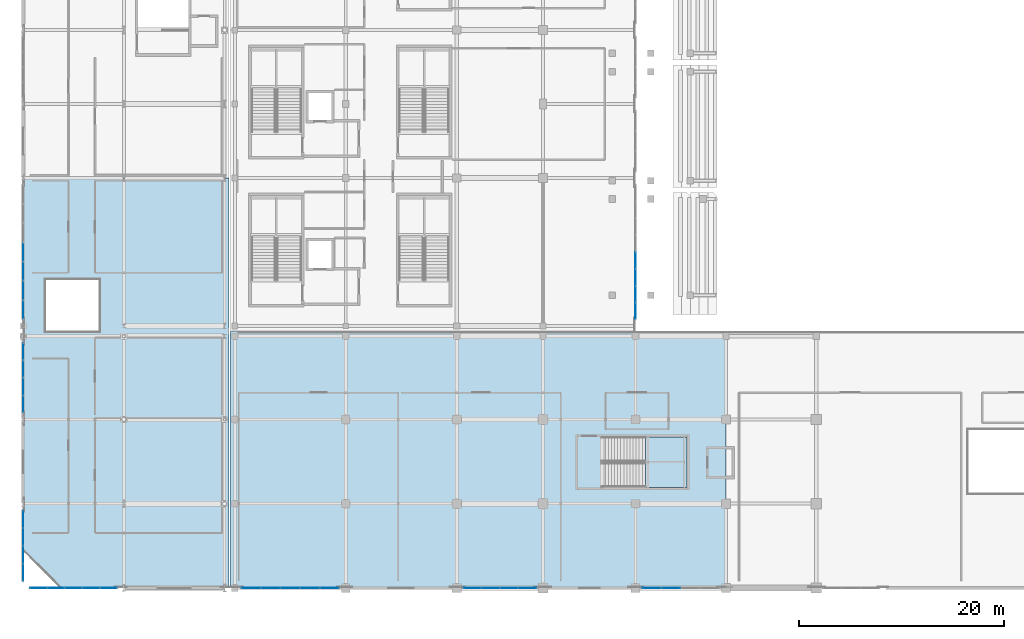
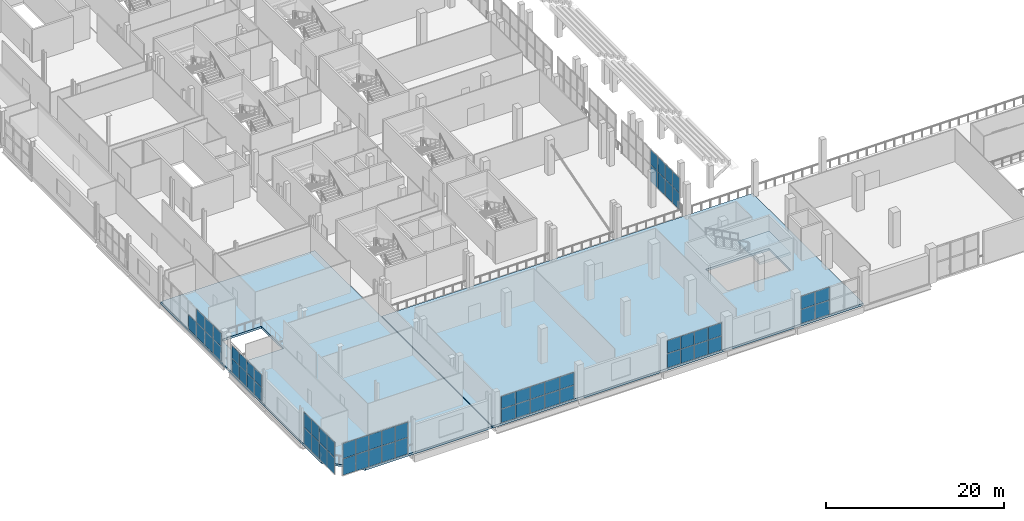
# One storey, part 73 of 142: 63 plates, 3 slabs, 9 elements without a shape of their own.
"""IFC4 building model written with IfcOpenShell, lengths in metres."""

from ifc_helpers import new_model, si_unit, direction, frame, origin, origin_2d, place, context, subcontext, project, spatial, polyline, rectangle, outline, extrude, material, layer, layer_set, type_object, element, aggregate, save


model = new_model("IFC4")

# Units and contexts
model_context = context("Model", 3, precision=1e-05, world=origin(), true_north=direction((0.0, 1.0)))
body_context = subcontext(model_context, "Body", "Model", "MODEL_VIEW")
ifc_project = project(units=[si_unit("LENGTHUNIT", "METRE"), si_unit("AREAUNIT", "SQUARE_METRE"), si_unit("VOLUMEUNIT", "CUBIC_METRE"), si_unit("PLANEANGLEUNIT", "RADIAN"), si_unit("MASSUNIT", "GRAM", prefix="KILO")], contexts=[model_context])

# Site, building, storey
site_placement = place(None, origin())
site = spatial("IfcSite", under=ifc_project, at=site_placement, CompositionType="ELEMENT")
building_placement = place(site_placement, origin())
building = spatial("IfcBuilding", under=site, at=building_placement, Name="Koshinbarg Plaza Stadium", CompositionType="ELEMENT")
storey_placement = place(building_placement, frame((0.0, 0.0, 10.199951171875)))
storey = spatial("IfcBuildingStorey", under=building, at=storey_placement, Name="L02", CompositionType="ELEMENT", Elevation=10.199951171875)

# Curtain wall, plates
ifc_material_1 = material(Name="Thermally broken anodised aluminium and low-E double glazing", Category="aluminium")
curtain_wall_type_1 = type_object("IfcCurtainWallType", Name="CW-SYS-07", PredefinedType="NOTDEFINED", material=ifc_material_1)
curtain_wall_1_placement = place(storey_placement, origin())
curtain_wall_1 = element("IfcCurtainWall", 1, at=curtain_wall_1_placement, inside=storey, type_object=curtain_wall_type_1, Name="L02 unitised curtain wall CW-L02-038", PredefinedType="NOTDEFINED")
ifc_material_2 = material(Name="Solar-control low-E double glazing unit", Category="glass")
ifc_layer_1 = layer(ifc_material_2, 0.028076171875)
ifc_layer_set_1 = layer_set([ifc_layer_1], Name="Solar-control low-E double glazing unit")
plate_type_1 = type_object("IfcPlateType", Name="CW-PNL-28", PredefinedType="CURTAIN_PANEL", material=ifc_layer_set_1)
plate_1_placement = place(storey_placement, frame((4.0, 17.892578125, 0.06005859375), z_axis=(0.0, 0.0, 1.0), x_axis=(0.0, 1.0, 0.0)))
plate_1 = element("IfcPlate", 2, at=plate_1_placement, type_object=plate_type_1, Name="CW07 panel 1.1", PredefinedType="CURTAIN_PANEL", context=body_context, shape_type="SweptSolid", body=[
    extrude(rectangle(XDim=1.625, YDim=0.028076171875, at=origin_2d()), origin(), (0.0, 0.0, 1.0), 1.87548828125),
])
plate_2_placement = place(storey_placement, frame((4.0, 17.892578125, 1.99560546875), z_axis=(0.0, 0.0, 1.0), x_axis=(0.0, 1.0, 0.0)))
plate_2 = element("IfcPlate", 3, at=plate_2_placement, type_object=plate_type_1, Name="CW07 panel 1.2", PredefinedType="CURTAIN_PANEL", context=body_context, shape_type="SweptSolid", body=[
    extrude(rectangle(XDim=1.625, YDim=0.028076171875, at=origin_2d()), origin(), (0.0, 0.0, 1.0), 1.724365234375),
])
plate_3_placement = place(storey_placement, frame((4.0, 19.592529296875, 0.06005859375), z_axis=(0.0, 0.0, 1.0), x_axis=(0.0, 1.0, 0.0)))
plate_3 = element("IfcPlate", 4, at=plate_3_placement, type_object=plate_type_1, Name="CW07 panel 2.1", PredefinedType="CURTAIN_PANEL", context=body_context, shape_type="SweptSolid", body=[
    extrude(rectangle(XDim=1.655029296875, YDim=0.028076171875, at=origin_2d()), origin(), (0.0, 0.0, 1.0), 1.87548828125),
])
plate_4_placement = place(storey_placement, frame((4.0, 19.592529296875, 1.99560546875), z_axis=(0.0, 0.0, 1.0), x_axis=(0.0, 1.0, 0.0)))
plate_4 = element("IfcPlate", 5, at=plate_4_placement, type_object=plate_type_1, Name="CW07 panel 2.2", PredefinedType="CURTAIN_PANEL", context=body_context, shape_type="SweptSolid", body=[
    extrude(rectangle(XDim=1.655029296875, YDim=0.028076171875, at=origin_2d()), origin(), (0.0, 0.0, 1.0), 1.724365234375),
])
plate_5_placement = place(storey_placement, frame((4.0, 21.3076171875, 0.06005859375), z_axis=(0.0, 0.0, 1.0), x_axis=(0.0, 1.0, 0.0)))
plate_5 = element("IfcPlate", 6, at=plate_5_placement, type_object=plate_type_1, Name="CW07 panel 3.1", PredefinedType="CURTAIN_PANEL", context=body_context, shape_type="SweptSolid", body=[
    extrude(rectangle(XDim=1.655029296875, YDim=0.028076171875, at=origin_2d()), origin(), (0.0, 0.0, 1.0), 1.87548828125),
])
plate_6_placement = place(storey_placement, frame((4.0, 21.3076171875, 1.99560546875), z_axis=(0.0, 0.0, 1.0), x_axis=(0.0, 1.0, 0.0)))
plate_6 = element("IfcPlate", 7, at=plate_6_placement, type_object=plate_type_1, Name="CW07 panel 3.2", PredefinedType="CURTAIN_PANEL", context=body_context, shape_type="SweptSolid", body=[
    extrude(rectangle(XDim=1.655029296875, YDim=0.028076171875, at=origin_2d()), origin(), (0.0, 0.0, 1.0), 1.724365234375),
])
plate_7_placement = place(storey_placement, frame((4.0, 23.007568359375, 0.06005859375), z_axis=(0.0, 0.0, 1.0), x_axis=(0.0, 1.0, 0.0)))
plate_7 = element("IfcPlate", 8, at=plate_7_placement, type_object=plate_type_1, Name="CW07 panel 4.1", PredefinedType="CURTAIN_PANEL", context=body_context, shape_type="SweptSolid", body=[
    extrude(rectangle(XDim=1.625, YDim=0.028076171875, at=origin_2d()), origin(), (0.0, 0.0, 1.0), 1.87548828125),
])
plate_8_placement = place(storey_placement, frame((4.0, 23.007568359375, 1.99560546875), z_axis=(0.0, 0.0, 1.0), x_axis=(0.0, 1.0, 0.0)))
plate_8 = element("IfcPlate", 9, at=plate_8_placement, type_object=plate_type_1, Name="CW07 panel 4.2", PredefinedType="CURTAIN_PANEL", context=body_context, shape_type="SweptSolid", body=[
    extrude(rectangle(XDim=1.625, YDim=0.028076171875, at=origin_2d()), origin(), (0.0, 0.0, 1.0), 1.724365234375),
])
aggregate(curtain_wall_1, [plate_1, plate_2, plate_3, plate_4, plate_5, plate_6, plate_7, plate_8])

curtain_wall_type_2 = type_object("IfcCurtainWallType", Name="CW-SYS-05", PredefinedType="NOTDEFINED", material=ifc_material_1)
curtain_wall_2_placement = place(storey_placement, origin())
curtain_wall_2 = element("IfcCurtainWall", 10, at=curtain_wall_2_placement, inside=storey, type_object=curtain_wall_type_2, Name="L02 unitised curtain wall CW-L02-068", PredefinedType="NOTDEFINED")
plate_9_placement = place(storey_placement, frame((53.070068359375, 0.0, 0.06005859375), z_axis=(0.0, 0.0, 1.0), x_axis=(-1.0, 0.0, 0.0)))
plate_9 = element("IfcPlate", 11, at=plate_9_placement, type_object=plate_type_1, Name="CW05 panel 1.1", PredefinedType="CURTAIN_PANEL", context=body_context, shape_type="SweptSolid", body=[
    extrude(rectangle(XDim=1.699951171875, YDim=0.028076171875, at=origin_2d()), origin(), (0.0, 0.0, 1.0), 1.917236328125),
])
plate_10_placement = place(storey_placement, frame((53.070068359375, 0.0, 2.037353515625), z_axis=(0.0, 0.0, 1.0), x_axis=(-1.0, 0.0, 0.0)))
plate_10 = element("IfcPlate", 12, at=plate_10_placement, type_object=plate_type_1, Name="CW05 panel 1.2", PredefinedType="CURTAIN_PANEL", context=body_context, shape_type="SweptSolid", body=[
    extrude(rectangle(XDim=1.699951171875, YDim=0.028076171875, at=origin_2d()), origin(), (0.0, 0.0, 1.0), 1.7626953125),
])
plate_11_placement = place(storey_placement, frame((51.294921875, 0.0, 0.06005859375), z_axis=(0.0, 0.0, 1.0), x_axis=(-1.0, 0.0, 0.0)))
plate_11 = element("IfcPlate", 13, at=plate_11_placement, type_object=plate_type_1, Name="CW05 panel 2.1", PredefinedType="CURTAIN_PANEL", context=body_context, shape_type="SweptSolid", body=[
    extrude(rectangle(XDim=1.72998046875, YDim=0.028076171875, at=origin_2d()), origin(), (0.0, 0.0, 1.0), 1.917236328125),
])
plate_12_placement = place(storey_placement, frame((51.294921875, 0.0, 2.037353515625), z_axis=(0.0, 0.0, 1.0), x_axis=(-1.0, 0.0, 0.0)))
plate_12 = element("IfcPlate", 14, at=plate_12_placement, type_object=plate_type_1, Name="CW05 panel 2.2", PredefinedType="CURTAIN_PANEL", context=body_context, shape_type="SweptSolid", body=[
    extrude(rectangle(XDim=1.72998046875, YDim=0.028076171875, at=origin_2d()), origin(), (0.0, 0.0, 1.0), 1.7626953125),
])
plate_13_placement = place(storey_placement, frame((49.5048828125, 0.0, 0.06005859375), z_axis=(0.0, 0.0, 1.0), x_axis=(-1.0, 0.0, 0.0)))
plate_13 = element("IfcPlate", 15, at=plate_13_placement, type_object=plate_type_1, Name="CW05 panel 3.1", PredefinedType="CURTAIN_PANEL", context=body_context, shape_type="SweptSolid", body=[
    extrude(rectangle(XDim=1.72998046875, YDim=0.028076171875, at=origin_2d()), origin(), (0.0, 0.0, 1.0), 1.917236328125),
])
plate_14_placement = place(storey_placement, frame((49.5048828125, 0.0, 2.037353515625), z_axis=(0.0, 0.0, 1.0), x_axis=(-1.0, 0.0, 0.0)))
plate_14 = element("IfcPlate", 16, at=plate_14_placement, type_object=plate_type_1, Name="CW05 panel 3.2", PredefinedType="CURTAIN_PANEL", context=body_context, shape_type="SweptSolid", body=[
    extrude(rectangle(XDim=1.72998046875, YDim=0.028076171875, at=origin_2d()), origin(), (0.0, 0.0, 1.0), 1.7626953125),
])
plate_15_placement = place(storey_placement, frame((47.72998046875, 0.0, 0.06005859375), z_axis=(0.0, 0.0, 1.0), x_axis=(-1.0, 0.0, 0.0)))
plate_15 = element("IfcPlate", 17, at=plate_15_placement, type_object=plate_type_1, Name="CW05 panel 4.1", PredefinedType="CURTAIN_PANEL", context=body_context, shape_type="SweptSolid", body=[
    extrude(rectangle(XDim=1.699951171875, YDim=0.028076171875, at=origin_2d()), origin(), (0.0, 0.0, 1.0), 1.917236328125),
])
plate_16_placement = place(storey_placement, frame((47.72998046875, 0.0, 2.037353515625), z_axis=(0.0, 0.0, 1.0), x_axis=(-1.0, 0.0, 0.0)))
plate_16 = element("IfcPlate", 18, at=plate_16_placement, type_object=plate_type_1, Name="CW05 panel 4.2", PredefinedType="CURTAIN_PANEL", context=body_context, shape_type="SweptSolid", body=[
    extrude(rectangle(XDim=1.699951171875, YDim=0.028076171875, at=origin_2d()), origin(), (0.0, 0.0, 1.0), 1.7626953125),
])
aggregate(curtain_wall_2, [plate_9, plate_10, plate_11, plate_12, plate_13, plate_14, plate_15, plate_16])

curtain_wall_3_placement = place(storey_placement, origin())
curtain_wall_3 = element("IfcCurtainWall", 19, at=curtain_wall_3_placement, inside=storey, type_object=curtain_wall_type_1, Name="L02 unitised curtain wall CW-L02-070", PredefinedType="NOTDEFINED")
plate_17_placement = place(storey_placement, frame((12.30908203125, 0.0, 0.06005859375), z_axis=(0.0, 0.0, 1.0), x_axis=(-1.0, 0.0, 0.0)))
plate_17 = element("IfcPlate", 20, at=plate_17_placement, type_object=plate_type_1, Name="CW07 panel 1.1", PredefinedType="CURTAIN_PANEL", context=body_context, shape_type="SweptSolid", body=[
    extrude(rectangle(XDim=1.6220703125, YDim=0.028076171875, at=origin_2d()), origin(), (0.0, 0.0, 1.0), 2.239501953125),
])
plate_18_placement = place(storey_placement, frame((12.30908203125, 0.0, 2.35986328125), z_axis=(0.0, 0.0, 1.0), x_axis=(-1.0, 0.0, 0.0)))
plate_18 = element("IfcPlate", 21, at=plate_18_placement, type_object=plate_type_1, Name="CW07 panel 1.2", PredefinedType="CURTAIN_PANEL", context=body_context, shape_type="SweptSolid", body=[
    extrude(rectangle(XDim=1.6220703125, YDim=0.028076171875, at=origin_2d()), origin(), (0.0, 0.0, 1.0), 2.060302734375),
])
plate_19_placement = place(storey_placement, frame((10.612060546875, 0.0, 0.06005859375), z_axis=(0.0, 0.0, 1.0), x_axis=(-1.0, 0.0, 0.0)))
plate_19 = element("IfcPlate", 22, at=plate_19_placement, type_object=plate_type_1, Name="CW07 panel 2.1", PredefinedType="CURTAIN_PANEL", context=body_context, shape_type="SweptSolid", body=[
    extrude(rectangle(XDim=1.652099609375, YDim=0.028076171875, at=origin_2d()), origin(), (0.0, 0.0, 1.0), 2.239501953125),
])
plate_20_placement = place(storey_placement, frame((10.612060546875, 0.0, 2.35986328125), z_axis=(0.0, 0.0, 1.0), x_axis=(-1.0, 0.0, 0.0)))
plate_20 = element("IfcPlate", 23, at=plate_20_placement, type_object=plate_type_1, Name="CW07 panel 2.2", PredefinedType="CURTAIN_PANEL", context=body_context, shape_type="SweptSolid", body=[
    extrude(rectangle(XDim=1.652099609375, YDim=0.028076171875, at=origin_2d()), origin(), (0.0, 0.0, 1.0), 2.060302734375),
])
plate_21_placement = place(storey_placement, frame((8.89990234375, 0.0, 0.06005859375), z_axis=(0.0, 0.0, 1.0), x_axis=(-1.0, 0.0, 0.0)))
plate_21 = element("IfcPlate", 24, at=plate_21_placement, type_object=plate_type_1, Name="CW07 panel 3.1", PredefinedType="CURTAIN_PANEL", context=body_context, shape_type="SweptSolid", body=[
    extrude(rectangle(XDim=1.652099609375, YDim=0.028076171875, at=origin_2d()), origin(), (0.0, 0.0, 1.0), 2.239501953125),
])
plate_22_placement = place(storey_placement, frame((8.89990234375, 0.0, 2.35986328125), z_axis=(0.0, 0.0, 1.0), x_axis=(-1.0, 0.0, 0.0)))
plate_22 = element("IfcPlate", 25, at=plate_22_placement, type_object=plate_type_1, Name="CW07 panel 3.2", PredefinedType="CURTAIN_PANEL", context=body_context, shape_type="SweptSolid", body=[
    extrude(rectangle(XDim=1.652099609375, YDim=0.028076171875, at=origin_2d()), origin(), (0.0, 0.0, 1.0), 2.060302734375),
])
plate_23_placement = place(storey_placement, frame((7.18798828125, 0.0, 0.06005859375), z_axis=(0.0, 0.0, 1.0), x_axis=(-1.0, 0.0, 0.0)))
plate_23 = element("IfcPlate", 26, at=plate_23_placement, type_object=plate_type_1, Name="CW07 panel 4.1", PredefinedType="CURTAIN_PANEL", context=body_context, shape_type="SweptSolid", body=[
    extrude(rectangle(XDim=1.652099609375, YDim=0.028076171875, at=origin_2d()), origin(), (0.0, 0.0, 1.0), 2.239501953125),
])
plate_24_placement = place(storey_placement, frame((7.18798828125, 0.0, 2.35986328125), z_axis=(0.0, 0.0, 1.0), x_axis=(-1.0, 0.0, 0.0)))
plate_24 = element("IfcPlate", 27, at=plate_24_placement, type_object=plate_type_1, Name="CW07 panel 4.2", PredefinedType="CURTAIN_PANEL", context=body_context, shape_type="SweptSolid", body=[
    extrude(rectangle(XDim=1.652099609375, YDim=0.028076171875, at=origin_2d()), origin(), (0.0, 0.0, 1.0), 2.060302734375),
])
plate_25_placement = place(storey_placement, frame((5.490966796875, 0.0, 0.06005859375), z_axis=(0.0, 0.0, 1.0), x_axis=(-1.0, 0.0, 0.0)))
plate_25 = element("IfcPlate", 28, at=plate_25_placement, type_object=plate_type_1, Name="CW07 panel 5.1", PredefinedType="CURTAIN_PANEL", context=body_context, shape_type="SweptSolid", body=[
    extrude(rectangle(XDim=1.6220703125, YDim=0.028076171875, at=origin_2d()), origin(), (0.0, 0.0, 1.0), 2.239501953125),
])
plate_26_placement = place(storey_placement, frame((5.490966796875, 0.0, 2.35986328125), z_axis=(0.0, 0.0, 1.0), x_axis=(-1.0, 0.0, 0.0)))
plate_26 = element("IfcPlate", 29, at=plate_26_placement, type_object=plate_type_1, Name="CW07 panel 5.2", PredefinedType="CURTAIN_PANEL", context=body_context, shape_type="SweptSolid", body=[
    extrude(rectangle(XDim=1.6220703125, YDim=0.028076171875, at=origin_2d()), origin(), (0.0, 0.0, 1.0), 2.060302734375),
])
aggregate(curtain_wall_3, [plate_17, plate_18, plate_19, plate_20, plate_21, plate_22, plate_23, plate_24, plate_25, plate_26])

curtain_wall_type_3 = type_object("IfcCurtainWallType", Name="CW-SYS-01", PredefinedType="NOTDEFINED", material=ifc_material_1)
curtain_wall_4_placement = place(storey_placement, origin())
curtain_wall_4 = element("IfcCurtainWall", 30, at=curtain_wall_4_placement, inside=storey, type_object=curtain_wall_type_3, Name="L02 unitised curtain wall CW-L02-080", PredefinedType="NOTDEFINED")
plate_27_placement = place(storey_placement, frame((63.60009765625, 31.87744140625, 0.06005859375), z_axis=(0.0, 0.0, 1.0), x_axis=(0.0, -1.0, 0.0)))
plate_27 = element("IfcPlate", 31, at=plate_27_placement, type_object=plate_type_1, Name="CW01 panel 5.1", PredefinedType="CURTAIN_PANEL", context=body_context, shape_type="SweptSolid", body=[
    extrude(rectangle(XDim=1.5849609375, YDim=0.028076171875, at=origin_2d()), origin(), (0.0, 0.0, 1.0), 2.239501953125),
])
plate_28_placement = place(storey_placement, frame((63.60009765625, 31.87744140625, 2.35986328125), z_axis=(0.0, 0.0, 1.0), x_axis=(0.0, -1.0, 0.0)))
plate_28 = element("IfcPlate", 32, at=plate_28_placement, type_object=plate_type_1, Name="CW01 panel 5.2", PredefinedType="CURTAIN_PANEL", context=body_context, shape_type="SweptSolid", body=[
    extrude(rectangle(XDim=1.5849609375, YDim=0.028076171875, at=origin_2d()), origin(), (0.0, 0.0, 1.0), 2.060302734375),
])
plate_29_placement = place(storey_placement, frame((63.60009765625, 30.232421875, 0.06005859375), z_axis=(0.0, 0.0, 1.0), x_axis=(0.0, -1.0, 0.0)))
plate_29 = element("IfcPlate", 33, at=plate_29_placement, type_object=plate_type_1, Name="CW01 panel 6.1", PredefinedType="CURTAIN_PANEL", context=body_context, shape_type="SweptSolid", body=[
    extrude(rectangle(XDim=1.5849609375, YDim=0.028076171875, at=origin_2d()), origin(), (0.0, 0.0, 1.0), 2.239501953125),
])
plate_30_placement = place(storey_placement, frame((63.60009765625, 30.232421875, 2.35986328125), z_axis=(0.0, 0.0, 1.0), x_axis=(0.0, -1.0, 0.0)))
plate_30 = element("IfcPlate", 34, at=plate_30_placement, type_object=plate_type_1, Name="CW01 panel 6.2", PredefinedType="CURTAIN_PANEL", context=body_context, shape_type="SweptSolid", body=[
    extrude(rectangle(XDim=1.5849609375, YDim=0.028076171875, at=origin_2d()), origin(), (0.0, 0.0, 1.0), 2.060302734375),
])
plate_31_placement = place(storey_placement, frame((63.60009765625, 28.58740234375, 0.06005859375), z_axis=(0.0, 0.0, 1.0), x_axis=(0.0, -1.0, 0.0)))
plate_31 = element("IfcPlate", 35, at=plate_31_placement, type_object=plate_type_1, Name="CW01 panel 7.1", PredefinedType="CURTAIN_PANEL", context=body_context, shape_type="SweptSolid", body=[
    extrude(rectangle(XDim=1.5849609375, YDim=0.028076171875, at=origin_2d()), origin(), (0.0, 0.0, 1.0), 2.239501953125),
])
plate_32_placement = place(storey_placement, frame((63.60009765625, 28.58740234375, 2.35986328125), z_axis=(0.0, 0.0, 1.0), x_axis=(0.0, -1.0, 0.0)))
plate_32 = element("IfcPlate", 36, at=plate_32_placement, type_object=plate_type_1, Name="CW01 panel 7.2", PredefinedType="CURTAIN_PANEL", context=body_context, shape_type="SweptSolid", body=[
    extrude(rectangle(XDim=1.5849609375, YDim=0.028076171875, at=origin_2d()), origin(), (0.0, 0.0, 1.0), 2.060302734375),
])
plate_33_placement = place(storey_placement, frame((63.60009765625, 26.95751953125, 0.06005859375), z_axis=(0.0, 0.0, 1.0), x_axis=(0.0, -1.0, 0.0)))
plate_33 = element("IfcPlate", 37, at=plate_33_placement, type_object=plate_type_1, Name="CW01 panel 8.1", PredefinedType="CURTAIN_PANEL", context=body_context, shape_type="SweptSolid", body=[
    extrude(rectangle(XDim=1.554931640625, YDim=0.028076171875, at=origin_2d()), origin(), (0.0, 0.0, 1.0), 2.239501953125),
])
plate_34_placement = place(storey_placement, frame((63.60009765625, 26.95751953125, 2.35986328125), z_axis=(0.0, 0.0, 1.0), x_axis=(0.0, -1.0, 0.0)))
plate_34 = element("IfcPlate", 38, at=plate_34_placement, type_object=plate_type_1, Name="CW01 panel 8.2", PredefinedType="CURTAIN_PANEL", context=body_context, shape_type="SweptSolid", body=[
    extrude(rectangle(XDim=1.554931640625, YDim=0.028076171875, at=origin_2d()), origin(), (0.0, 0.0, 1.0), 2.060302734375),
])
aggregate(curtain_wall_4, [plate_27, plate_28, plate_29, plate_30, plate_31, plate_32, plate_33, plate_34])

curtain_wall_type_4 = type_object("IfcCurtainWallType", Name="CW-SYS-06", PredefinedType="NOTDEFINED", material=ifc_material_1)
curtain_wall_5_placement = place(storey_placement, origin())
curtain_wall_5 = element("IfcCurtainWall", 39, at=curtain_wall_5_placement, inside=storey, type_object=curtain_wall_type_4, Name="L02 unitised curtain wall CW-L02-037", PredefinedType="NOTDEFINED")
ifc_material_3 = material(Name="Acoustic solar-control double glazing unit", Category="glass")
ifc_layer_2 = layer(ifc_material_3, 0.031982421875)
ifc_layer_set_2 = layer_set([ifc_layer_2], Name="Acoustic solar-control double glazing unit")
plate_type_2 = type_object("IfcPlateType", Name="CW-PNL-32", PredefinedType="CURTAIN_PANEL", material=ifc_layer_set_2)
plate_35_placement = place(storey_placement, frame((4.0, 1.5048828125, 0.06005859375), z_axis=(0.0, 0.0, 1.0), x_axis=(0.0, 1.0, 0.0)))
plate_35 = element("IfcPlate", 40, at=plate_35_placement, type_object=plate_type_2, Name="CW06 panel 1.1", PredefinedType="CURTAIN_PANEL", context=body_context, shape_type="SweptSolid", body=[
    extrude(rectangle(XDim=1.64990234375, YDim=0.031982421875, at=origin_2d()), origin(), (0.0, 0.0, 1.0), 2.239501953125),
])
plate_36_placement = place(storey_placement, frame((4.0, 1.5048828125, 2.35986328125), z_axis=(0.0, 0.0, 1.0), x_axis=(0.0, 1.0, 0.0)))
plate_36 = element("IfcPlate", 41, at=plate_36_placement, type_object=plate_type_2, Name="CW06 panel 1.2", PredefinedType="CURTAIN_PANEL", context=body_context, shape_type="SweptSolid", body=[
    extrude(rectangle(XDim=1.64990234375, YDim=0.031982421875, at=origin_2d()), origin(), (0.0, 0.0, 1.0), 2.060302734375),
])
plate_37_placement = place(storey_placement, frame((4.0, 3.22998046875, 0.06005859375), z_axis=(0.0, 0.0, 1.0), x_axis=(0.0, 1.0, 0.0)))
plate_37 = element("IfcPlate", 42, at=plate_37_placement, type_object=plate_type_2, Name="CW06 panel 2.1", PredefinedType="CURTAIN_PANEL", context=body_context, shape_type="SweptSolid", body=[
    extrude(rectangle(XDim=1.679931640625, YDim=0.031982421875, at=origin_2d()), origin(), (0.0, 0.0, 1.0), 2.239501953125),
])
plate_38_placement = place(storey_placement, frame((4.0, 3.22998046875, 2.35986328125), z_axis=(0.0, 0.0, 1.0), x_axis=(0.0, 1.0, 0.0)))
plate_38 = element("IfcPlate", 43, at=plate_38_placement, type_object=plate_type_2, Name="CW06 panel 2.2", PredefinedType="CURTAIN_PANEL", context=body_context, shape_type="SweptSolid", body=[
    extrude(rectangle(XDim=1.679931640625, YDim=0.031982421875, at=origin_2d()), origin(), (0.0, 0.0, 1.0), 2.060302734375),
])
plate_39_placement = place(storey_placement, frame((4.0, 4.969970703125, 0.06005859375), z_axis=(0.0, 0.0, 1.0), x_axis=(0.0, 1.0, 0.0)))
plate_39 = element("IfcPlate", 44, at=plate_39_placement, type_object=plate_type_2, Name="CW06 panel 3.1", PredefinedType="CURTAIN_PANEL", context=body_context, shape_type="SweptSolid", body=[
    extrude(rectangle(XDim=1.679931640625, YDim=0.031982421875, at=origin_2d()), origin(), (0.0, 0.0, 1.0), 2.239501953125),
])
plate_40_placement = place(storey_placement, frame((4.0, 4.969970703125, 2.35986328125), z_axis=(0.0, 0.0, 1.0), x_axis=(0.0, 1.0, 0.0)))
plate_40 = element("IfcPlate", 45, at=plate_40_placement, type_object=plate_type_2, Name="CW06 panel 3.2", PredefinedType="CURTAIN_PANEL", context=body_context, shape_type="SweptSolid", body=[
    extrude(rectangle(XDim=1.679931640625, YDim=0.031982421875, at=origin_2d()), origin(), (0.0, 0.0, 1.0), 2.060302734375),
])
plate_41_placement = place(storey_placement, frame((4.0, 6.695068359375, 0.06005859375), z_axis=(0.0, 0.0, 1.0), x_axis=(0.0, 1.0, 0.0)))
plate_41 = element("IfcPlate", 46, at=plate_41_placement, type_object=plate_type_2, Name="CW06 panel 4.1", PredefinedType="CURTAIN_PANEL", context=body_context, shape_type="SweptSolid", body=[
    extrude(rectangle(XDim=1.64990234375, YDim=0.031982421875, at=origin_2d()), origin(), (0.0, 0.0, 1.0), 2.239501953125),
])
plate_42_placement = place(storey_placement, frame((4.0, 6.695068359375, 2.35986328125), z_axis=(0.0, 0.0, 1.0), x_axis=(0.0, 1.0, 0.0)))
plate_42 = element("IfcPlate", 47, at=plate_42_placement, type_object=plate_type_2, Name="CW06 panel 4.2", PredefinedType="CURTAIN_PANEL", context=body_context, shape_type="SweptSolid", body=[
    extrude(rectangle(XDim=1.64990234375, YDim=0.031982421875, at=origin_2d()), origin(), (0.0, 0.0, 1.0), 2.060302734375),
])
aggregate(curtain_wall_5, [plate_35, plate_36, plate_37, plate_38, plate_39, plate_40, plate_41, plate_42])

curtain_wall_type_5 = type_object("IfcCurtainWallType", Name="CW-SYS-08", PredefinedType="NOTDEFINED", material=ifc_material_1)
curtain_wall_6_placement = place(storey_placement, origin())
curtain_wall_6 = element("IfcCurtainWall", 48, at=curtain_wall_6_placement, inside=storey, type_object=curtain_wall_type_5, Name="L02 unitised curtain wall CW-L02-039", PredefinedType="NOTDEFINED")
plate_43_placement = place(storey_placement, frame((4.0, 27.074951171875, 0.06005859375), z_axis=(0.0, 0.0, 1.0), x_axis=(0.0, 1.0, 0.0)))
plate_43 = element("IfcPlate", 49, at=plate_43_placement, type_object=plate_type_2, Name="CW08 panel 1.1", PredefinedType="CURTAIN_PANEL", context=body_context, shape_type="SweptSolid", body=[
    extrude(rectangle(XDim=1.7900390625, YDim=0.031982421875, at=origin_2d()), origin(), (0.0, 0.0, 1.0), 1.974365234375),
])
plate_44_placement = place(storey_placement, frame((4.0, 27.074951171875, 2.09423828125), z_axis=(0.0, 0.0, 1.0), x_axis=(0.0, 1.0, 0.0)))
plate_44 = element("IfcPlate", 50, at=plate_44_placement, type_object=plate_type_2, Name="CW08 panel 1.2", PredefinedType="CURTAIN_PANEL", context=body_context, shape_type="SweptSolid", body=[
    extrude(rectangle(XDim=1.7900390625, YDim=0.031982421875, at=origin_2d()), origin(), (0.0, 0.0, 1.0), 1.815673828125),
])
plate_45_placement = place(storey_placement, frame((4.0, 28.93994140625, 0.06005859375), z_axis=(0.0, 0.0, 1.0), x_axis=(0.0, 1.0, 0.0)))
plate_45 = element("IfcPlate", 51, at=plate_45_placement, type_object=plate_type_2, Name="CW08 panel 2.1", PredefinedType="CURTAIN_PANEL", context=body_context, shape_type="SweptSolid", body=[
    extrude(rectangle(XDim=1.820068359375, YDim=0.031982421875, at=origin_2d()), origin(), (0.0, 0.0, 1.0), 1.974365234375),
])
plate_46_placement = place(storey_placement, frame((4.0, 28.93994140625, 2.09423828125), z_axis=(0.0, 0.0, 1.0), x_axis=(0.0, 1.0, 0.0)))
plate_46 = element("IfcPlate", 52, at=plate_46_placement, type_object=plate_type_2, Name="CW08 panel 2.2", PredefinedType="CURTAIN_PANEL", context=body_context, shape_type="SweptSolid", body=[
    extrude(rectangle(XDim=1.820068359375, YDim=0.031982421875, at=origin_2d()), origin(), (0.0, 0.0, 1.0), 1.815673828125),
])
plate_47_placement = place(storey_placement, frame((4.0, 30.820068359375, 0.06005859375), z_axis=(0.0, 0.0, 1.0), x_axis=(0.0, 1.0, 0.0)))
plate_47 = element("IfcPlate", 53, at=plate_47_placement, type_object=plate_type_2, Name="CW08 panel 3.1", PredefinedType="CURTAIN_PANEL", context=body_context, shape_type="SweptSolid", body=[
    extrude(rectangle(XDim=1.820068359375, YDim=0.031982421875, at=origin_2d()), origin(), (0.0, 0.0, 1.0), 1.974365234375),
])
plate_48_placement = place(storey_placement, frame((4.0, 30.820068359375, 2.09423828125), z_axis=(0.0, 0.0, 1.0), x_axis=(0.0, 1.0, 0.0)))
plate_48 = element("IfcPlate", 54, at=plate_48_placement, type_object=plate_type_2, Name="CW08 panel 3.2", PredefinedType="CURTAIN_PANEL", context=body_context, shape_type="SweptSolid", body=[
    extrude(rectangle(XDim=1.820068359375, YDim=0.031982421875, at=origin_2d()), origin(), (0.0, 0.0, 1.0), 1.815673828125),
])
plate_49_placement = place(storey_placement, frame((4.0, 32.699951171875, 0.06005859375), z_axis=(0.0, 0.0, 1.0), x_axis=(0.0, 1.0, 0.0)))
plate_49 = element("IfcPlate", 55, at=plate_49_placement, type_object=plate_type_2, Name="CW08 panel 4.1", PredefinedType="CURTAIN_PANEL", context=body_context, shape_type="SweptSolid", body=[
    extrude(rectangle(XDim=1.820068359375, YDim=0.031982421875, at=origin_2d()), origin(), (0.0, 0.0, 1.0), 1.974365234375),
])
aggregate(curtain_wall_6, [plate_43, plate_44, plate_45, plate_46, plate_47, plate_48, plate_49])

curtain_wall_type_6 = type_object("IfcCurtainWallType", Name="CW-SYS-04", PredefinedType="NOTDEFINED", material=ifc_material_1)
curtain_wall_7_placement = place(storey_placement, origin())
curtain_wall_7 = element("IfcCurtainWall", 56, at=curtain_wall_7_placement, inside=storey, type_object=curtain_wall_type_6, Name="L02 unitised curtain wall CW-L02-067", PredefinedType="NOTDEFINED")
plate_50_placement = place(storey_placement, frame((67.054931640625, 0.0, 0.06005859375), z_axis=(0.0, 0.0, 1.0), x_axis=(-1.0, 0.0, 0.0)))
plate_50 = element("IfcPlate", 57, at=plate_50_placement, type_object=plate_type_2, Name="CW04 panel 3.1", PredefinedType="CURTAIN_PANEL", context=body_context, shape_type="SweptSolid", body=[
    extrude(rectangle(XDim=1.830078125, YDim=0.031982421875, at=origin_2d()), origin(), (0.0, 0.0, 1.0), 1.917236328125),
])
plate_51_placement = place(storey_placement, frame((67.054931640625, 0.0, 2.037353515625), z_axis=(0.0, 0.0, 1.0), x_axis=(-1.0, 0.0, 0.0)))
plate_51 = element("IfcPlate", 58, at=plate_51_placement, type_object=plate_type_2, Name="CW04 panel 3.2", PredefinedType="CURTAIN_PANEL", context=body_context, shape_type="SweptSolid", body=[
    extrude(rectangle(XDim=1.830078125, YDim=0.031982421875, at=origin_2d()), origin(), (0.0, 0.0, 1.0), 1.7626953125),
])
plate_52_placement = place(storey_placement, frame((65.179931640625, 0.0, 0.06005859375), z_axis=(0.0, 0.0, 1.0), x_axis=(-1.0, 0.0, 0.0)))
plate_52 = element("IfcPlate", 59, at=plate_52_placement, type_object=plate_type_2, Name="CW04 panel 4.1", PredefinedType="CURTAIN_PANEL", context=body_context, shape_type="SweptSolid", body=[
    extrude(rectangle(XDim=1.800048828125, YDim=0.031982421875, at=origin_2d()), origin(), (0.0, 0.0, 1.0), 1.917236328125),
])
plate_53_placement = place(storey_placement, frame((65.179931640625, 0.0, 2.037353515625), z_axis=(0.0, 0.0, 1.0), x_axis=(-1.0, 0.0, 0.0)))
plate_53 = element("IfcPlate", 60, at=plate_53_placement, type_object=plate_type_2, Name="CW04 panel 4.2", PredefinedType="CURTAIN_PANEL", context=body_context, shape_type="SweptSolid", body=[
    extrude(rectangle(XDim=1.800048828125, YDim=0.031982421875, at=origin_2d()), origin(), (0.0, 0.0, 1.0), 1.7626953125),
])
aggregate(curtain_wall_7, [plate_50, plate_51, plate_52, plate_53])

curtain_wall_8_placement = place(storey_placement, origin())
curtain_wall_8 = element("IfcCurtainWall", 61, at=curtain_wall_8_placement, inside=storey, type_object=curtain_wall_type_4, Name="L02 unitised curtain wall CW-L02-069", PredefinedType="NOTDEFINED")
plate_54_placement = place(storey_placement, frame((33.80908203125, 0.0, 0.06005859375), z_axis=(0.0, 0.0, 1.0), x_axis=(-1.0, 0.0, 0.0)))
plate_54 = element("IfcPlate", 62, at=plate_54_placement, type_object=plate_type_2, Name="CW06 panel 1.1", PredefinedType="CURTAIN_PANEL", context=body_context, shape_type="SweptSolid", body=[
    extrude(rectangle(XDim=1.822021484375, YDim=0.031982421875, at=origin_2d()), origin(), (0.0, 0.0, 1.0), 1.865234375),
])
plate_55_placement = place(storey_placement, frame((33.80908203125, 0.0, 1.985107421875), z_axis=(0.0, 0.0, 1.0), x_axis=(-1.0, 0.0, 0.0)))
plate_55 = element("IfcPlate", 63, at=plate_55_placement, type_object=plate_type_2, Name="CW06 panel 1.2", PredefinedType="CURTAIN_PANEL", context=body_context, shape_type="SweptSolid", body=[
    extrude(rectangle(XDim=1.822021484375, YDim=0.031982421875, at=origin_2d()), origin(), (0.0, 0.0, 1.0), 1.71484375),
])
plate_56_placement = place(storey_placement, frame((31.912109375, 0.0, 0.06005859375), z_axis=(0.0, 0.0, 1.0), x_axis=(-1.0, 0.0, 0.0)))
plate_56 = element("IfcPlate", 64, at=plate_56_placement, type_object=plate_type_2, Name="CW06 panel 2.1", PredefinedType="CURTAIN_PANEL", context=body_context, shape_type="SweptSolid", body=[
    extrude(rectangle(XDim=1.85205078125, YDim=0.031982421875, at=origin_2d()), origin(), (0.0, 0.0, 1.0), 1.865234375),
])
plate_57_placement = place(storey_placement, frame((31.912109375, 0.0, 1.985107421875), z_axis=(0.0, 0.0, 1.0), x_axis=(-1.0, 0.0, 0.0)))
plate_57 = element("IfcPlate", 65, at=plate_57_placement, type_object=plate_type_2, Name="CW06 panel 2.2", PredefinedType="CURTAIN_PANEL", context=body_context, shape_type="SweptSolid", body=[
    extrude(rectangle(XDim=1.85205078125, YDim=0.031982421875, at=origin_2d()), origin(), (0.0, 0.0, 1.0), 1.71484375),
])
plate_58_placement = place(storey_placement, frame((30.0, 0.0, 0.06005859375), z_axis=(0.0, 0.0, 1.0), x_axis=(-1.0, 0.0, 0.0)))
plate_58 = element("IfcPlate", 66, at=plate_58_placement, type_object=plate_type_2, Name="CW06 panel 3.1", PredefinedType="CURTAIN_PANEL", context=body_context, shape_type="SweptSolid", body=[
    extrude(rectangle(XDim=1.85205078125, YDim=0.031982421875, at=origin_2d()), origin(), (0.0, 0.0, 1.0), 1.865234375),
])
plate_59_placement = place(storey_placement, frame((30.0, 0.0, 1.985107421875), z_axis=(0.0, 0.0, 1.0), x_axis=(-1.0, 0.0, 0.0)))
plate_59 = element("IfcPlate", 67, at=plate_59_placement, type_object=plate_type_2, Name="CW06 panel 3.2", PredefinedType="CURTAIN_PANEL", context=body_context, shape_type="SweptSolid", body=[
    extrude(rectangle(XDim=1.85205078125, YDim=0.031982421875, at=origin_2d()), origin(), (0.0, 0.0, 1.0), 1.71484375),
])
plate_60_placement = place(storey_placement, frame((28.087890625, 0.0, 0.06005859375), z_axis=(0.0, 0.0, 1.0), x_axis=(-1.0, 0.0, 0.0)))
plate_60 = element("IfcPlate", 68, at=plate_60_placement, type_object=plate_type_2, Name="CW06 panel 4.1", PredefinedType="CURTAIN_PANEL", context=body_context, shape_type="SweptSolid", body=[
    extrude(rectangle(XDim=1.85205078125, YDim=0.031982421875, at=origin_2d()), origin(), (0.0, 0.0, 1.0), 1.865234375),
])
plate_61_placement = place(storey_placement, frame((28.087890625, 0.0, 1.985107421875), z_axis=(0.0, 0.0, 1.0), x_axis=(-1.0, 0.0, 0.0)))
plate_61 = element("IfcPlate", 69, at=plate_61_placement, type_object=plate_type_2, Name="CW06 panel 4.2", PredefinedType="CURTAIN_PANEL", context=body_context, shape_type="SweptSolid", body=[
    extrude(rectangle(XDim=1.85205078125, YDim=0.031982421875, at=origin_2d()), origin(), (0.0, 0.0, 1.0), 1.71484375),
])
plate_62_placement = place(storey_placement, frame((26.19091796875, 0.0, 0.06005859375), z_axis=(0.0, 0.0, 1.0), x_axis=(-1.0, 0.0, 0.0)))
plate_62 = element("IfcPlate", 70, at=plate_62_placement, type_object=plate_type_2, Name="CW06 panel 5.1", PredefinedType="CURTAIN_PANEL", context=body_context, shape_type="SweptSolid", body=[
    extrude(rectangle(XDim=1.822021484375, YDim=0.031982421875, at=origin_2d()), origin(), (0.0, 0.0, 1.0), 1.865234375),
])
plate_63_placement = place(storey_placement, frame((26.19091796875, 0.0, 1.985107421875), z_axis=(0.0, 0.0, 1.0), x_axis=(-1.0, 0.0, 0.0)))
plate_63 = element("IfcPlate", 71, at=plate_63_placement, type_object=plate_type_2, Name="CW06 panel 5.2", PredefinedType="CURTAIN_PANEL", context=body_context, shape_type="SweptSolid", body=[
    extrude(rectangle(XDim=1.822021484375, YDim=0.031982421875, at=origin_2d()), origin(), (0.0, 0.0, 1.0), 1.71484375),
])
aggregate(curtain_wall_8, [plate_54, plate_55, plate_56, plate_57, plate_58, plate_59, plate_60, plate_61, plate_62, plate_63])

# Slabs
ifc_material_4 = material(Name="Concrete C35/45", Category="concrete")
ifc_layer_3 = layer(ifc_material_4, 0.300048828125)
ifc_layer_set_3 = layer_set([ifc_layer_3], Name="Concrete C35/45")
slab_type_1 = type_object("IfcSlabType", Name="SL-FLR-300", PredefinedType="FLOOR", material=ifc_layer_set_3)
slab_1_placement = place(storey_placement, frame((0.0, 0.0, -0.300048828125)))
element("IfcSlab", 72, at=slab_1_placement, inside=storey, type_object=slab_type_1, Name="L02 V4 structural slab 14", PredefinedType="FLOOR", context=body_context, shape_type="SweptSolid", body=[
    extrude(outline(polyline([(24.14501953125, 0.0), (72.39990234375, 0.0), (72.39990234375, 24.955078125), (24.14501953125, 24.955078125), (24.14501953125, 0.0)]), holes=[polyline([(60.360107421875, 9.800048828125), (68.60009765625, 9.800048828125), (68.60009765625, 14.669921875), (60.360107421875, 14.669921875), (60.360107421875, 9.800048828125)])]), origin(), (0.0, 0.0, 1.0), 0.300048828125),
])
slab_2_placement = place(storey_placement, frame((0.0, 0.0, -0.300048828125)))
element("IfcSlab", 73, at=slab_2_placement, inside=storey, type_object=slab_type_1, Name="L02 V6 structural slab 21", PredefinedType="FLOOR", context=body_context, shape_type="SweptSolid", body=[
    extrude(outline(polyline([(7.60009765625, 0.0), (24.054931640625, 0.0), (24.054931640625, 39.89990234375), (4.0, 39.89990234375), (4.0, 3.60009765625), (7.60009765625, 0.0)]), holes=[polyline([(6.199951171875, 25.0), (11.39990234375, 25.0), (11.39990234375, 30.0), (6.199951171875, 30.0), (6.199951171875, 25.0)])]), origin(), (0.0, 0.0, 1.0), 0.300048828125),
])

# Stair, slab
stair_type = type_object("IfcStairType", Name="ST-CORE-48", PredefinedType="HALF_TURN_STAIR", material=ifc_material_4)
stair_placement = place(storey_placement, origin())
stair = element("IfcStair", 74, at=stair_placement, inside=storey, type_object=stair_type, Name="L02 Protected Exit Stair C13", PredefinedType="HALF_TURN_STAIR")
ifc_layer_4 = layer(ifc_material_4, 0.320068359375)
ifc_layer_set_4 = layer_set([ifc_layer_4], Name="Concrete C35/45")
slab_type_2 = type_object("IfcSlabType", Name="SL-STLAND-280", PredefinedType="LANDING", material=ifc_layer_set_4)
slab_3_placement = place(storey_placement, frame((0.0, 0.0, 2.080078125)))
slab_3 = element("IfcSlab", 75, at=slab_3_placement, type_object=slab_type_2, Name="L02 Protected Exit Stair C13 landing 065", PredefinedType="LANDING", context=body_context, shape_type="SweptSolid", body=[
    extrude(outline(polyline([(64.56005859375, 9.800048828125), (68.60009765625, 9.800048828125), (68.60009765625, 14.669921875), (64.56005859375, 14.669921875), (64.56005859375, 9.800048828125)])), origin(), (0.0, 0.0, 1.0), 0.320068359375),
])
aggregate(stair, [slab_3])

save(model, "model.ifc")
